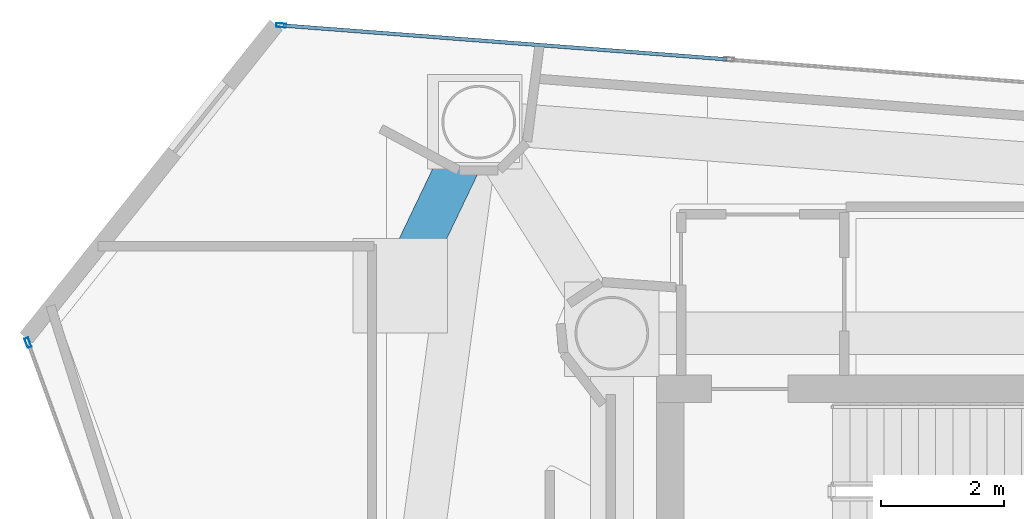
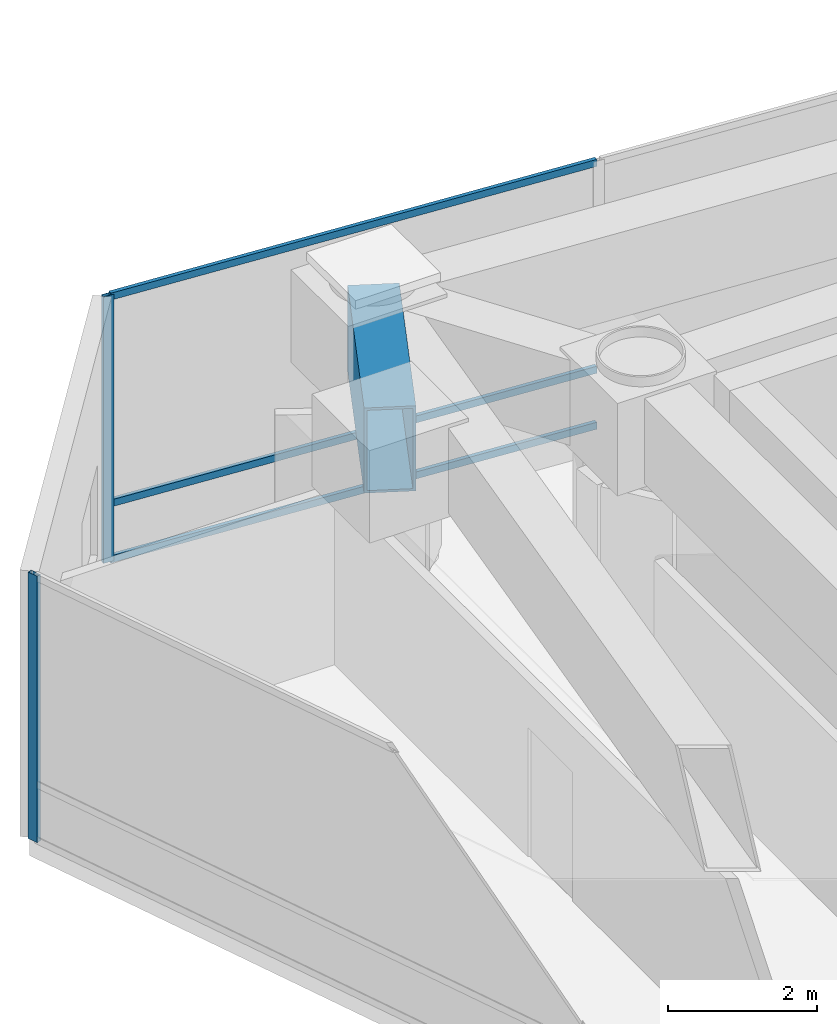
# One storey, part 9 of 20: 5 members, 1 beam, 2 elements without a shape of their own.
"""IFC4 building model written with IfcOpenShell, lengths in metres."""

from ifc_helpers import new_model, si_unit, direction, frame, origin, origin_2d, place, context, subcontext, project, spatial, hollow_rectangle, extrude, material, layer, layer_set, material_profile, profile_set, type_object, element, aggregate, save


model = new_model("IFC4")

# Units and contexts
model_context = context("Model", 3, precision=1e-05, world=origin(), true_north=direction((0.0, 1.0)))
body_context = subcontext(model_context, "Body", "Model", "MODEL_VIEW")
ifc_project = project(units=[si_unit("LENGTHUNIT", "METRE"), si_unit("AREAUNIT", "SQUARE_METRE"), si_unit("VOLUMEUNIT", "CUBIC_METRE"), si_unit("PLANEANGLEUNIT", "RADIAN"), si_unit("MASSUNIT", "GRAM", prefix="KILO")], contexts=[model_context])

# Site, building, storey
site_placement = place(None, origin())
site = spatial("IfcSite", under=ifc_project, at=site_placement, CompositionType="ELEMENT")
building_placement = place(site_placement, origin())
building = spatial("IfcBuilding", under=site, at=building_placement, Name="Qianvela Tower", CompositionType="ELEMENT")
storey_placement = place(building_placement, frame((0.0, 0.0, 229.89990234375)))
storey = spatial("IfcBuildingStorey", under=building, at=storey_placement, Name="L59", CompositionType="ELEMENT", Elevation=229.89990234375)

# Beam
ifc_material_1 = material(Name="Steel Q420GJC", Category="steel")
ifc_material_profile_1 = material_profile(ifc_material_1, hollow_rectangle(XDim=0.699951171875, YDim=1.39990234375, WallThickness=0.0400390625, at=origin_2d()), Name="TG-BOX-1400x700x40")
ifc_profile_set_1 = profile_set([ifc_material_profile_1], Name="Steel Q420GJC")
beam_type = type_object("IfcBeamType", Name="BM-TG-STEP-1400", PredefinedType="BEAM", material=ifc_profile_set_1)
beam_placement = place(storey_placement, frame((26.430908203125, 36.991943359375, 3.677978515625), z_axis=(-0.431951369538, -0.901896897851, 0.0), x_axis=(0.901896897851, -0.431951369538, 0.0)))
element("IfcBeam", 1, at=beam_placement, inside=storey, type_object=beam_type, Name="L59 Zone-Step Transfer Girder 3", PredefinedType="BEAM", context=body_context, shape_type="SweptSolid", body=[
    extrude(hollow_rectangle(XDim=0.699951171875, YDim=1.39990234375, WallThickness=0.0400390625, at=origin_2d()), origin(), (0.0, 0.0, 1.0), 2.8916015625),
])

# Curtain wall, member
ifc_material_2 = material(Name="Anodised Architectural Aluminium and Low-E Glass", Category="aluminium")
ifc_layer = layer(ifc_material_2, 0.159912109375)
ifc_layer_set = layer_set([ifc_layer], Name="Anodised Architectural Aluminium and Low-E Glass")
curtain_wall_type = type_object("IfcCurtainWallType", Name="CW-COLIV-Z56", PredefinedType="USERDEFINED", material=ifc_layer_set)
curtain_wall_1_placement = place(storey_placement, origin())
curtain_wall_1 = element("IfcCurtainWall", 2, at=curtain_wall_1_placement, inside=storey, type_object=curtain_wall_type, Name="L59 CW-COLIV-Z56 Curtain Wall 02C", ObjectType="CURTAIN_WALL_SYSTEM", PredefinedType="USERDEFINED")
ifc_material_3 = material(Name="Anodised Architectural Aluminium 6063-T6", Category="aluminium")
ifc_material_profile_2 = material_profile(ifc_material_3, hollow_rectangle(XDim=0.06494140625, YDim=0.159912109375, WallThickness=0.0048828125, at=origin_2d()), Name="ALU-MULL-65x160")
ifc_profile_set_2 = profile_set([ifc_material_profile_2], Name="Anodised Architectural Aluminium 6063-T6")
member_type_1 = type_object("IfcMemberType", Name="CW-COLIV-Z56-MULL", PredefinedType="MULLION", material=ifc_profile_set_2)
member_1_placement = place(storey_placement, frame((23.209716796875, 38.570068359375, 0.0), z_axis=(0.0, 0.0, 1.0), x_axis=(-0.075903292234, -0.997115184032, 0.0)))
member_1 = element("IfcMember", 3, at=member_1_placement, type_object=member_type_1, Name="CW-5 mullion 3", PredefinedType="MULLION", context=body_context, shape_type="SweptSolid", body=[
    extrude(hollow_rectangle(XDim=0.06494140625, YDim=0.159912109375, WallThickness=0.0048828125, at=origin_2d()), origin(), (0.0, 0.0, 1.0), 4.380126953125),
])

curtain_wall_2_placement = place(storey_placement, origin())
curtain_wall_2 = element("IfcCurtainWall", 4, at=curtain_wall_2_placement, inside=storey, type_object=curtain_wall_type, Name="L59 CW-COLIV-Z56 Curtain Wall 04A", ObjectType="CURTAIN_WALL_SYSTEM", PredefinedType="USERDEFINED")
member_2_placement = place(storey_placement, frame((19.0810546875, 33.397216796875, 0.0), z_axis=(0.0, 0.0, 1.0), x_axis=(0.939693167633, 0.342018640871, 0.0)))
member_2 = element("IfcMember", 5, at=member_2_placement, type_object=member_type_1, Name="CW-5 mullion 1", PredefinedType="MULLION", context=body_context, shape_type="SweptSolid", body=[
    extrude(hollow_rectangle(XDim=0.06494140625, YDim=0.159912109375, WallThickness=0.0048828125, at=origin_2d()), origin(), (0.0, 0.0, 1.0), 4.380126953125),
])
aggregate(curtain_wall_2, [member_2])

# Member
ifc_material_4 = material(Name="Anodised Architectural Aluminium 6063-T6", Category="aluminium")
ifc_material_profile_3 = material_profile(ifc_material_4, hollow_rectangle(XDim=0.06005859375, YDim=0.114990234375, WallThickness=0.00390625, at=origin_2d()), Name="ALU-TRAN-60x115")
ifc_profile_set_3 = profile_set([ifc_material_profile_3], Name="Anodised Architectural Aluminium 6063-T6")
member_type_2 = type_object("IfcMemberType", Name="CW-COLIV-Z56-TRAN", PredefinedType="USERDEFINED", material=ifc_profile_set_3)
member_3_placement = place(storey_placement, frame((30.479736328125, 38.0166015625, 0.030029296875), z_axis=(-0.997114326481, 0.07591455675, 0.0), x_axis=(-0.07591455675, -0.997114326481, 0.0)))
member_3 = element("IfcMember", 6, at=member_3_placement, type_object=member_type_2, Name="CW-5 transom 2.1", ObjectType="TRANSOM", PredefinedType="USERDEFINED", context=body_context, shape_type="SweptSolid", body=[
    extrude(hollow_rectangle(XDim=0.06005859375, YDim=0.114990234375, WallThickness=0.00390625, at=origin_2d()), origin(), (0.0, 0.0, 1.0), 7.258544921875),
])

member_4_placement = place(storey_placement, frame((30.479736328125, 38.0166015625, 0.9501953125), z_axis=(-0.997114326481, 0.07591455675, 0.0), x_axis=(-0.07591455675, -0.997114326481, 0.0)))
member_4 = element("IfcMember", 7, at=member_4_placement, type_object=member_type_2, Name="CW-5 transom 2.2", ObjectType="TRANSOM", PredefinedType="USERDEFINED", context=body_context, shape_type="SweptSolid", body=[
    extrude(hollow_rectangle(XDim=0.06005859375, YDim=0.114990234375, WallThickness=0.00390625, at=origin_2d()), origin(), (0.0, 0.0, 1.0), 7.258544921875),
])

member_5_placement = place(storey_placement, frame((30.479736328125, 38.0166015625, 4.35009765625), z_axis=(-0.997114326481, 0.07591455675, 0.0), x_axis=(-0.07591455675, -0.997114326481, 0.0)))
member_5 = element("IfcMember", 8, at=member_5_placement, type_object=member_type_2, Name="CW-5 transom 2.3", ObjectType="TRANSOM", PredefinedType="USERDEFINED", context=body_context, shape_type="SweptSolid", body=[
    extrude(hollow_rectangle(XDim=0.06005859375, YDim=0.114990234375, WallThickness=0.00390625, at=origin_2d()), origin(), (0.0, 0.0, 1.0), 7.258544921875),
])

aggregate(curtain_wall_1, [member_1, member_3, member_4, member_5])

save(model, "model.ifc")
